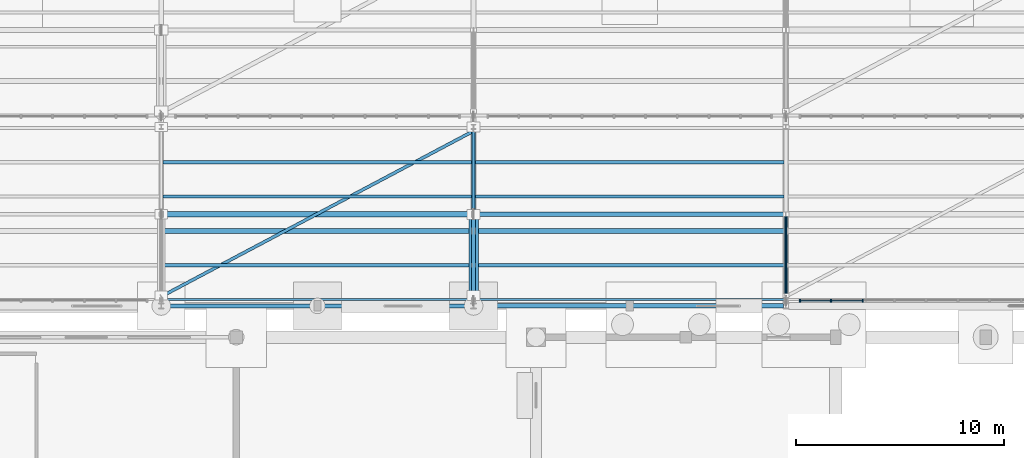
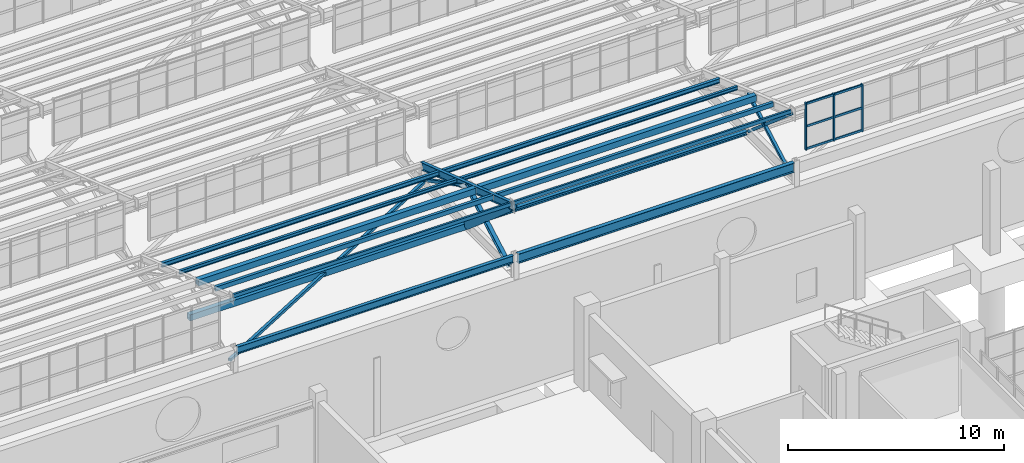
# One storey, part 46 of 285: 17 members, 13 beams, 1 element without a shape of its own.
"""IFC4 building model written with IfcOpenShell, lengths in metres."""

from ifc_helpers import new_model, si_unit, direction, frame, origin, origin_2d, place, context, subcontext, project, spatial, rectangle, hollow_rectangle, hollow_circle, i_section, extrude, material, material_profile, profile_set, type_object, element, aggregate, save


model = new_model("IFC4")

# Units and contexts
model_context = context("Model", 3, precision=1e-05, world=origin(), true_north=direction((0.0, 1.0)))
body_context = subcontext(model_context, "Body", "Model", "MODEL_VIEW")
ifc_project = project(units=[si_unit("LENGTHUNIT", "METRE"), si_unit("AREAUNIT", "SQUARE_METRE"), si_unit("VOLUMEUNIT", "CUBIC_METRE"), si_unit("PLANEANGLEUNIT", "RADIAN"), si_unit("MASSUNIT", "GRAM", prefix="KILO")], contexts=[model_context])

# Site, building, storey
site_placement = place(None, origin())
site = spatial("IfcSite", under=ifc_project, at=site_placement, CompositionType="ELEMENT")
building_placement = place(site_placement, origin())
building = spatial("IfcBuilding", under=site, at=building_placement, Name="Solanera Park Tramway Depot", CompositionType="ELEMENT")
storey_placement = place(building_placement, origin())
storey = spatial("IfcBuildingStorey", under=building, at=storey_placement, Name="L00", CompositionType="ELEMENT", Elevation=0.0)

# Curtain wall, members
ifc_material_1 = material(Name="Bronze-anodised thermally broken aluminium curtain wall", Category="aluminium")
curtain_wall_type = type_object("IfcCurtainWallType", Name="Sawtooth Clerestory Monitor Curtain Wall", PredefinedType="NOTDEFINED", material=ifc_material_1)
curtain_wall_placement = place(storey_placement, origin())
curtain_wall = element("IfcCurtainWall", 1, at=curtain_wall_placement, inside=storey, type_object=curtain_wall_type, Name="L00 Sawtooth Clerestory Monitor Curtain Wall #003", PredefinedType="NOTDEFINED")
ifc_material_2 = material(Name="Bronze-anodised structural aluminium 6063-T6", Category="aluminium")
ifc_material_profile_1 = material_profile(ifc_material_2, rectangle(XDim=0.06494140625, YDim=0.14990234375, at=origin_2d()), Name="Curtain Wall Mullion 65x150")
ifc_profile_set_1 = profile_set([ifc_material_profile_1], Name="Bronze-anodised structural aluminium 6063-T6")
member_type_1 = type_object("IfcMemberType", Name="Curtain Wall Mullion 65x150", PredefinedType="MULLION", material=ifc_profile_set_1)
member_1_placement = place(storey_placement, frame((120.6826171875, 55.75, 7.75), z_axis=(0.0, 0.0, 1.0), x_axis=(1.0, 0.0, 0.0)))
member_1 = element("IfcMember", 2, at=member_1_placement, type_object=member_type_1, Name="CW-L00-003 Mullion 1", PredefinedType="MULLION", context=body_context, shape_type="SweptSolid", body=[
    extrude(rectangle(XDim=0.06494140625, YDim=0.14990234375, at=origin_2d()), origin(), (0.0, 0.0, 1.0), 2.6611328125),
])
member_2_placement = place(storey_placement, frame((122.172119140625, 55.75, 7.75), z_axis=(0.0, 0.0, 1.0), x_axis=(1.0, 0.0, 0.0)))
member_2 = element("IfcMember", 3, at=member_2_placement, type_object=member_type_1, Name="CW-L00-003 Mullion 2", PredefinedType="MULLION", context=body_context, shape_type="SweptSolid", body=[
    extrude(rectangle(XDim=0.06494140625, YDim=0.14990234375, at=origin_2d()), origin(), (0.0, 0.0, 1.0), 2.6611328125),
])
member_3_placement = place(storey_placement, frame((123.6943359375, 55.75, 7.75), z_axis=(0.0, 0.0, 1.0), x_axis=(1.0, 0.0, 0.0)))
member_3 = element("IfcMember", 4, at=member_3_placement, type_object=member_type_1, Name="CW-L00-003 Mullion 3", PredefinedType="MULLION", context=body_context, shape_type="SweptSolid", body=[
    extrude(rectangle(XDim=0.06494140625, YDim=0.14990234375, at=origin_2d()), origin(), (0.0, 0.0, 1.0), 2.6611328125),
])
ifc_material_3 = material(Name="Bronze-anodised structural aluminium 6063-T6", Category="aluminium")
ifc_material_profile_2 = material_profile(ifc_material_3, rectangle(XDim=0.06494140625, YDim=0.1201171875, at=origin_2d()), Name="Curtain Wall Transom 65x120")
ifc_profile_set_2 = profile_set([ifc_material_profile_2], Name="Bronze-anodised structural aluminium 6063-T6")
member_type_2 = type_object("IfcMemberType", Name="Curtain Wall Transom 65x120", PredefinedType="USERDEFINED", material=ifc_profile_set_2)
member_4_placement = place(storey_placement, frame((120.71044921875, 55.75, 7.81005859375), z_axis=(1.0, 0.0, 0.0), x_axis=(0.0, 1.0, 0.0)))
member_4 = element("IfcMember", 5, at=member_4_placement, type_object=member_type_2, Name="CW-L00-003 Transom R1.C1", ObjectType="TRANSOM", PredefinedType="USERDEFINED", context=body_context, shape_type="SweptSolid", body=[
    extrude(rectangle(XDim=0.06494140625, YDim=0.1201171875, at=origin_2d()), origin(), (0.0, 0.0, 1.0), 1.433837890625),
])
member_5_placement = place(storey_placement, frame((122.2001953125, 55.75, 7.81005859375), z_axis=(1.0, 0.0, 0.0), x_axis=(0.0, 1.0, 0.0)))
member_5 = element("IfcMember", 6, at=member_5_placement, type_object=member_type_2, Name="CW-L00-003 Transom R1.C2", ObjectType="TRANSOM", PredefinedType="USERDEFINED", context=body_context, shape_type="SweptSolid", body=[
    extrude(rectangle(XDim=0.06494140625, YDim=0.1201171875, at=origin_2d()), origin(), (0.0, 0.0, 1.0), 1.46630859375),
])
member_6_placement = place(storey_placement, frame((120.71044921875, 55.75, 9.08056640625), z_axis=(1.0, 0.0, 0.0), x_axis=(0.0, 1.0, 0.0)))
member_6 = element("IfcMember", 7, at=member_6_placement, type_object=member_type_2, Name="CW-L00-003 Transom R2.C1", ObjectType="TRANSOM", PredefinedType="USERDEFINED", context=body_context, shape_type="SweptSolid", body=[
    extrude(rectangle(XDim=0.06494140625, YDim=0.1201171875, at=origin_2d()), origin(), (0.0, 0.0, 1.0), 1.433837890625),
])
member_7_placement = place(storey_placement, frame((122.2001953125, 55.75, 9.08056640625), z_axis=(1.0, 0.0, 0.0), x_axis=(0.0, 1.0, 0.0)))
member_7 = element("IfcMember", 8, at=member_7_placement, type_object=member_type_2, Name="CW-L00-003 Transom R2.C2", ObjectType="TRANSOM", PredefinedType="USERDEFINED", context=body_context, shape_type="SweptSolid", body=[
    extrude(rectangle(XDim=0.06494140625, YDim=0.1201171875, at=origin_2d()), origin(), (0.0, 0.0, 1.0), 1.46630859375),
])
member_8_placement = place(storey_placement, frame((120.71044921875, 55.75, 10.351318359375), z_axis=(1.0, 0.0, 0.0), x_axis=(0.0, 1.0, 0.0)))
member_8 = element("IfcMember", 9, at=member_8_placement, type_object=member_type_2, Name="CW-L00-003 Transom R3.C1", ObjectType="TRANSOM", PredefinedType="USERDEFINED", context=body_context, shape_type="SweptSolid", body=[
    extrude(rectangle(XDim=0.06494140625, YDim=0.1201171875, at=origin_2d()), origin(), (0.0, 0.0, 1.0), 1.433837890625),
])
member_9_placement = place(storey_placement, frame((122.2001953125, 55.75, 10.351318359375), z_axis=(1.0, 0.0, 0.0), x_axis=(0.0, 1.0, 0.0)))
member_9 = element("IfcMember", 10, at=member_9_placement, type_object=member_type_2, Name="CW-L00-003 Transom R3.C2", ObjectType="TRANSOM", PredefinedType="USERDEFINED", context=body_context, shape_type="SweptSolid", body=[
    extrude(rectangle(XDim=0.06494140625, YDim=0.1201171875, at=origin_2d()), origin(), (0.0, 0.0, 1.0), 1.46630859375),
])
aggregate(curtain_wall, [member_1, member_2, member_3, member_4, member_5, member_6, member_7, member_8, member_9])

# Beams
ifc_material_4 = material(Name="Steel AS/NZS 3679.1 Grade 350", Category="steel")
ifc_material_profile_3 = material_profile(ifc_material_4, i_section(OverallWidth=0.177734375, OverallDepth=0.406494140625, WebThickness=0.0078125, FlangeThickness=0.0126953125, at=origin_2d()), Name="410UB59.7")
ifc_profile_set_3 = profile_set([ifc_material_profile_3], Name="Steel AS/NZS 3679.1 Grade 350")
beam_type_1 = type_object("IfcBeamType", Name="Perimeter Spandrel Beam 410UB59.7", PredefinedType="SPANDREL", material=ifc_profile_set_3)
beam_1_placement = place(storey_placement, frame((90.1201171875, 55.5, 7.296875), z_axis=(1.0, 0.0, 0.0), x_axis=(0.0, 1.0, 0.0)))
element("IfcBeam", 11, at=beam_1_placement, inside=storey, type_object=beam_type_1, Name="L00 Hall Eave Spandrel 410UB59.7 #0288", PredefinedType="SPANDREL", context=body_context, shape_type="SweptSolid", body=[
    extrude(i_section(OverallWidth=0.177734375, OverallDepth=0.406494140625, WebThickness=0.0078125, FlangeThickness=0.0126953125, at=origin_2d()), origin(), (0.0, 0.0, 1.0), 14.759765625),
])
ifc_material_5 = material(Name="Steel AS/NZS 3679.1 Grade 350", Category="steel")
ifc_material_profile_4 = material_profile(ifc_material_5, i_section(OverallWidth=0.209228515625, OverallDepth=0.532958984375, WebThickness=0.01025390625, FlangeThickness=0.015625, at=origin_2d()), Name="530UB92.4")
ifc_profile_set_4 = profile_set([ifc_material_profile_4], Name="Steel AS/NZS 3679.1 Grade 350")
beam_type_2 = type_object("IfcBeamType", Name="Perimeter Spandrel Beam 530UB92.4", PredefinedType="SPANDREL", material=ifc_profile_set_4)
beam_2_placement = place(storey_placement, frame((105.1201171875, 55.5, 7.2333984375), z_axis=(1.0, 0.0, 0.0), x_axis=(0.0, 1.0, 0.0)))
element("IfcBeam", 12, at=beam_2_placement, inside=storey, type_object=beam_type_2, Name="L00 Hall Eave Spandrel 530UB92.4 #0290", PredefinedType="SPANDREL", context=body_context, shape_type="SweptSolid", body=[
    extrude(i_section(OverallWidth=0.209228515625, OverallDepth=0.532958984375, WebThickness=0.01025390625, FlangeThickness=0.015625, at=origin_2d()), origin(), (0.0, 0.0, 1.0), 14.759765625),
])

# Members
ifc_material_6 = material(Name="Steel AS/NZS 1163 Grade C350L0", Category="steel")
ifc_material_profile_5 = material_profile(ifc_material_6, hollow_rectangle(XDim=0.14990234375, YDim=0.14990234375, WallThickness=0.006103515625, at=origin_2d()), Name="150x150x6.0 SHS")
ifc_profile_set_5 = profile_set([ifc_material_profile_5], Name="Steel AS/NZS 1163 Grade C350L0")
member_type_3 = type_object("IfcMemberType", Name="Roof Gantry Compression Strut 150x150x6.0 SHS", PredefinedType="STRUT", material=ifc_profile_set_5)
member_10_placement = place(storey_placement, frame((120.0, 56.0, 6.5), z_axis=(0.0, 0.874074669389, 0.485791593517), x_axis=(-1.0, 0.0, 0.0)))
element("IfcMember", 13, at=member_10_placement, inside=storey, type_object=member_type_3, Name="Sawtooth ROOF TRUSS Strut 150x150x6.0 SHS #0030", PredefinedType="STRUT", context=body_context, shape_type="SweptSolid", body=[
    extrude(hollow_rectangle(XDim=0.14990234375, YDim=0.14990234375, WallThickness=0.006103515625, at=origin_2d()), origin(), (0.0, 0.0, 1.0), 4.461669921875),
])
ifc_material_7 = material(Name="Steel AS/NZS 3679.1 Grade 350", Category="steel")
ifc_material_profile_6 = material_profile(ifc_material_7, i_section(OverallWidth=0.205078125, OverallDepth=0.209716796875, WebThickness=0.00927734375, FlangeThickness=0.01416015625, at=origin_2d()), Name="200UC59.5")
ifc_profile_set_6 = profile_set([ifc_material_profile_6], Name="Steel AS/NZS 3679.1 Grade 350")
member_type_4 = type_object("IfcMemberType", Name="Roof Gantry Compression Strut 200UC59.5", PredefinedType="STRUT", material=ifc_profile_set_6)
member_11_placement = place(storey_placement, frame((105.0, 56.0, 6.5), z_axis=(0.0, 0.871630906744, 0.490162791742), x_axis=(-1.0, 0.0, 0.0)))
element("IfcMember", 14, at=member_11_placement, inside=storey, type_object=member_type_4, Name="Sawtooth ROOF TRUSS Strut 200UC59.5 #0027", PredefinedType="STRUT", context=body_context, shape_type="SweptSolid", body=[
    extrude(i_section(OverallWidth=0.205078125, OverallDepth=0.209716796875, WebThickness=0.00927734375, FlangeThickness=0.01416015625, at=origin_2d()), origin(), (0.0, 0.0, 1.0), 4.474365234375),
])
ifc_material_8 = material(Name="Steel AS/NZS 3679.1 Grade 350", Category="steel")
ifc_material_profile_7 = material_profile(ifc_material_8, i_section(OverallWidth=0.203369140625, OverallDepth=0.203369140625, WebThickness=0.00732421875, FlangeThickness=0.010986328125, at=origin_2d()), Name="200UC46.2")
ifc_profile_set_7 = profile_set([ifc_material_profile_7], Name="Steel AS/NZS 3679.1 Grade 350")
member_type_5 = type_object("IfcMemberType", Name="Secondary Truss Chord 200UC46.2", PredefinedType="CHORD", material=ifc_profile_set_7)
member_12_placement = place(storey_placement, frame((105.087890625, 59.89990234375, 6.5), z_axis=(1.0, 0.0, 0.0), x_axis=(0.0, 1.0, 0.0)))
element("IfcMember", 15, at=member_12_placement, inside=storey, type_object=member_type_5, Name="Sawtooth Longitudinal Tie Chord 200UC46.2 #0043", PredefinedType="CHORD", context=body_context, shape_type="SweptSolid", body=[
    extrude(i_section(OverallWidth=0.203369140625, OverallDepth=0.203369140625, WebThickness=0.00732421875, FlangeThickness=0.010986328125, at=origin_2d()), origin(), (0.0, 0.0, 1.0), 14.82421875),
])
ifc_material_9 = material(Name="Steel AS/NZS 1163 Grade C350L0", Category="steel")
ifc_material_profile_8 = material_profile(ifc_material_9, hollow_rectangle(XDim=0.25, YDim=0.35009765625, WallThickness=0.010009765625, at=origin_2d()), Name="350x250x10.0 RHS")
ifc_profile_set_8 = profile_set([ifc_material_profile_8], Name="Steel AS/NZS 1163 Grade C350L0")
member_type_6 = type_object("IfcMemberType", Name="Secondary Truss Chord 350x250x10.0 RHS", PredefinedType="CHORD", material=ifc_profile_set_8)
member_13_placement = place(storey_placement, frame((90.087890625, 59.89990234375, 6.5), z_axis=(1.0, 0.0, 0.0), x_axis=(0.0, 1.0, 0.0)))
element("IfcMember", 16, at=member_13_placement, inside=storey, type_object=member_type_6, Name="Sawtooth Longitudinal Tie Chord 350x250x10.0 RHS #0041", PredefinedType="CHORD", context=body_context, shape_type="SweptSolid", body=[
    extrude(hollow_rectangle(XDim=0.25, YDim=0.35009765625, WallThickness=0.010009765625, at=origin_2d()), origin(), (0.0, 0.0, 1.0), 14.82421875),
])

# Beams
ifc_material_10 = material(Name="Steel AS/NZS 3679.1 Grade 350", Category="steel")
ifc_material_profile_9 = material_profile(ifc_material_10, i_section(OverallWidth=0.177734375, OverallDepth=0.406494140625, WebThickness=0.0078125, FlangeThickness=0.0126953125, at=origin_2d()), Name="410UB59.7")
ifc_profile_set_9 = profile_set([ifc_material_profile_9], Name="Steel AS/NZS 3679.1 Grade 350")
beam_type_3 = type_object("IfcBeamType", Name="Steel Beam 410UB59.7", PredefinedType="BEAM", material=ifc_profile_set_9)
beam_3_placement = place(storey_placement, frame((105.0, 55.75, 10.08154296875), z_axis=(0.0, 0.948322229475, -0.317308917435), x_axis=(-1.0, 0.0, 0.0)))
element("IfcBeam", 17, at=beam_3_placement, inside=storey, type_object=beam_type_3, Name="Sawtooth ROOF TRUSS Top Rafter 410UB59.7 B01-T7", PredefinedType="BEAM", context=body_context, shape_type="SweptSolid", body=[
    extrude(i_section(OverallWidth=0.177734375, OverallDepth=0.406494140625, WebThickness=0.0078125, FlangeThickness=0.0126953125, at=origin_2d()), origin(), (0.0, 0.0, 1.0), 8.80517578125),
])
ifc_material_11 = material(Name="Steel AS/NZS 3679.1 Grade 350", Category="steel")
ifc_material_profile_10 = material_profile(ifc_material_11, i_section(OverallWidth=0.13330078125, OverallDepth=0.203125, WebThickness=0.005859375, FlangeThickness=0.0078125, at=origin_2d()), Name="200UB25.4")
ifc_profile_set_10 = profile_set([ifc_material_profile_10], Name="Steel AS/NZS 3679.1 Grade 350")
beam_type_4 = type_object("IfcBeamType", Name="Steel Joist Purlin 200UB25.4", PredefinedType="JOIST", material=ifc_profile_set_10)
beam_4_placement = place(storey_placement, frame((90.077880859375, 60.75, 8.510009765625), z_axis=(1.0, 0.0, 0.0), x_axis=(0.0, 1.0, 0.0)))
element("IfcBeam", 18, at=beam_4_placement, inside=storey, type_object=beam_type_4, Name="Sawtooth Roof Purlin 200UB25.4 B01.4", PredefinedType="JOIST", context=body_context, shape_type="SweptSolid", body=[
    extrude(i_section(OverallWidth=0.13330078125, OverallDepth=0.203125, WebThickness=0.005859375, FlangeThickness=0.0078125, at=origin_2d()), origin(), (0.0, 0.0, 1.0), 14.84130859375),
])
beam_5_placement = place(storey_placement, frame((105.080810546875, 60.75, 8.510009765625), z_axis=(1.0, 0.0, 0.0), x_axis=(0.0, 1.0, 0.0)))
element("IfcBeam", 19, at=beam_5_placement, inside=storey, type_object=beam_type_4, Name="Sawtooth Roof Purlin 200UB25.4 B01.4", PredefinedType="JOIST", context=body_context, shape_type="SweptSolid", body=[
    extrude(i_section(OverallWidth=0.13330078125, OverallDepth=0.203125, WebThickness=0.005859375, FlangeThickness=0.0078125, at=origin_2d()), origin(), (0.0, 0.0, 1.0), 14.83203125),
])
ifc_material_12 = material(Name="Steel AS/NZS 1163 Grade C350L0", Category="steel")
ifc_material_profile_11 = material_profile(ifc_material_12, hollow_rectangle(XDim=0.10009765625, YDim=0.199951171875, WallThickness=0.006103515625, at=origin_2d()), Name="200x100x6.0 RHS")
ifc_profile_set_11 = profile_set([ifc_material_profile_11], Name="Steel AS/NZS 1163 Grade C350L0")
beam_type_5 = type_object("IfcBeamType", Name="Steel Joist Purlin 200x100x6.0 RHS", PredefinedType="JOIST", material=ifc_profile_set_11)
beam_6_placement = place(storey_placement, frame((90.077880859375, 55.800048828125, 10.17333984375), z_axis=(1.0, 0.0, 0.0), x_axis=(0.0, 1.0, 0.0)))
element("IfcBeam", 20, at=beam_6_placement, inside=storey, type_object=beam_type_5, Name="Sawtooth Roof Purlin 200x100x6.0 RHS B01.1", PredefinedType="JOIST", context=body_context, shape_type="SweptSolid", body=[
    extrude(hollow_rectangle(XDim=0.10009765625, YDim=0.199951171875, WallThickness=0.006103515625, at=origin_2d()), origin(), (0.0, 0.0, 1.0), 14.84130859375),
])
beam_7_placement = place(storey_placement, frame((105.080810546875, 55.800048828125, 10.17333984375), z_axis=(1.0, 0.0, 0.0), x_axis=(0.0, 1.0, 0.0)))
element("IfcBeam", 21, at=beam_7_placement, inside=storey, type_object=beam_type_5, Name="Sawtooth Roof Purlin 200x100x6.0 RHS B01.1", PredefinedType="JOIST", context=body_context, shape_type="SweptSolid", body=[
    extrude(hollow_rectangle(XDim=0.10009765625, YDim=0.199951171875, WallThickness=0.006103515625, at=origin_2d()), origin(), (0.0, 0.0, 1.0), 14.83203125),
])
ifc_material_13 = material(Name="Steel AS/NZS 3679.1 Grade 350", Category="steel")
ifc_material_profile_12 = material_profile(ifc_material_13, i_section(OverallWidth=0.14599609375, OverallDepth=0.251708984375, WebThickness=0.006103515625, FlangeThickness=0.008544921875, at=origin_2d()), Name="250UB31.4")
ifc_profile_set_12 = profile_set([ifc_material_profile_12], Name="Steel AS/NZS 3679.1 Grade 350")
beam_type_6 = type_object("IfcBeamType", Name="Steel Joist Purlin 250UB31.4", PredefinedType="JOIST", material=ifc_profile_set_12)
beam_8_placement = place(storey_placement, frame((90.077880859375, 62.39990234375, 7.931396484375), z_axis=(1.0, 0.0, 0.0), x_axis=(0.0, 1.0, 0.0)))
element("IfcBeam", 22, at=beam_8_placement, inside=storey, type_object=beam_type_6, Name="Sawtooth Roof Purlin 250UB31.4 B01.5", PredefinedType="JOIST", context=body_context, shape_type="SweptSolid", body=[
    extrude(i_section(OverallWidth=0.14599609375, OverallDepth=0.251708984375, WebThickness=0.006103515625, FlangeThickness=0.008544921875, at=origin_2d()), origin(), (0.0, 0.0, 1.0), 14.84130859375),
])
beam_9_placement = place(storey_placement, frame((105.080810546875, 62.39990234375, 7.931396484375), z_axis=(1.0, 0.0, 0.0), x_axis=(0.0, 1.0, 0.0)))
element("IfcBeam", 23, at=beam_9_placement, inside=storey, type_object=beam_type_6, Name="Sawtooth Roof Purlin 250UB31.4 B01.5", PredefinedType="JOIST", context=body_context, shape_type="SweptSolid", body=[
    extrude(i_section(OverallWidth=0.14599609375, OverallDepth=0.251708984375, WebThickness=0.006103515625, FlangeThickness=0.008544921875, at=origin_2d()), origin(), (0.0, 0.0, 1.0), 14.83203125),
])
ifc_material_14 = material(Name="Steel AS/NZS 1163 Grade C350L0", Category="steel")
ifc_material_profile_13 = material_profile(ifc_material_14, hollow_rectangle(XDim=0.14990234375, YDim=0.25, WallThickness=0.008056640625, at=origin_2d()), Name="250x150x8.0 RHS")
ifc_profile_set_13 = profile_set([ifc_material_profile_13], Name="Steel AS/NZS 1163 Grade C350L0")
beam_type_7 = type_object("IfcBeamType", Name="Steel Joist Purlin 250x150x8.0 RHS", PredefinedType="JOIST", material=ifc_profile_set_13)
beam_10_placement = place(storey_placement, frame((90.077880859375, 57.449951171875, 9.587890625), z_axis=(1.0, 0.0, 0.0), x_axis=(0.0, 1.0, 0.0)))
element("IfcBeam", 24, at=beam_10_placement, inside=storey, type_object=beam_type_7, Name="Sawtooth Roof Purlin 250x150x8.0 RHS B01.2", PredefinedType="JOIST", context=body_context, shape_type="SweptSolid", body=[
    extrude(hollow_rectangle(XDim=0.14990234375, YDim=0.25, WallThickness=0.008056640625, at=origin_2d()), origin(), (0.0, 0.0, 1.0), 14.84130859375),
])
beam_11_placement = place(storey_placement, frame((105.080810546875, 57.449951171875, 9.587890625), z_axis=(1.0, 0.0, 0.0), x_axis=(0.0, 1.0, 0.0)))
element("IfcBeam", 25, at=beam_11_placement, inside=storey, type_object=beam_type_7, Name="Sawtooth Roof Purlin 250x150x8.0 RHS B01.2", PredefinedType="JOIST", context=body_context, shape_type="SweptSolid", body=[
    extrude(hollow_rectangle(XDim=0.14990234375, YDim=0.25, WallThickness=0.008056640625, at=origin_2d()), origin(), (0.0, 0.0, 1.0), 14.83203125),
])
ifc_material_15 = material(Name="Steel AS/NZS 1163 Grade C350L0", Category="steel")
ifc_material_profile_14 = material_profile(ifc_material_15, hollow_rectangle(XDim=0.25, YDim=0.35009765625, WallThickness=0.010009765625, at=origin_2d()), Name="350x250x10.0 RHS")
ifc_profile_set_14 = profile_set([ifc_material_profile_14], Name="Steel AS/NZS 1163 Grade C350L0")
beam_type_8 = type_object("IfcBeamType", Name="Steel Joist Purlin 350x250x10.0 RHS", PredefinedType="JOIST", material=ifc_profile_set_14)
beam_12_placement = place(storey_placement, frame((90.077880859375, 59.10009765625, 8.968994140625), z_axis=(1.0, 0.0, 0.0), x_axis=(0.0, 1.0, 0.0)))
element("IfcBeam", 26, at=beam_12_placement, inside=storey, type_object=beam_type_8, Name="Sawtooth Roof Purlin 350x250x10.0 RHS B01.3", PredefinedType="JOIST", context=body_context, shape_type="SweptSolid", body=[
    extrude(hollow_rectangle(XDim=0.25, YDim=0.35009765625, WallThickness=0.010009765625, at=origin_2d()), origin(), (0.0, 0.0, 1.0), 14.84130859375),
])
beam_13_placement = place(storey_placement, frame((105.080810546875, 59.10009765625, 8.968994140625), z_axis=(1.0, 0.0, 0.0), x_axis=(0.0, 1.0, 0.0)))
element("IfcBeam", 27, at=beam_13_placement, inside=storey, type_object=beam_type_8, Name="Sawtooth Roof Purlin 350x250x10.0 RHS B01.3", PredefinedType="JOIST", context=body_context, shape_type="SweptSolid", body=[
    extrude(hollow_rectangle(XDim=0.25, YDim=0.35009765625, WallThickness=0.010009765625, at=origin_2d()), origin(), (0.0, 0.0, 1.0), 14.83203125),
])

# Members
ifc_material_16 = material(Name="Steel AS/NZS 1163 Grade C350L0", Category="steel")
ifc_material_profile_15 = material_profile(ifc_material_16, hollow_rectangle(XDim=0.14990234375, YDim=0.14990234375, WallThickness=0.006103515625, at=origin_2d()), Name="150x150x6.0 SHS")
ifc_profile_set_15 = profile_set([ifc_material_profile_15], Name="Steel AS/NZS 1163 Grade C350L0")
member_type_7 = type_object("IfcMemberType", Name="Truss and Frame Brace 150x150x6.0 SHS", PredefinedType="BRACE", material=ifc_profile_set_15)
member_14_placement = place(storey_placement, frame((105.0, 64.10009765625, 6.5), z_axis=(0.0, -0.886436886442, 0.462849485638), x_axis=(1.0, 0.0, 0.0)))
element("IfcMember", 28, at=member_14_placement, inside=storey, type_object=member_type_7, Name="Sawtooth ROOF TRUSS Diagonal 150x150x6.0 SHS #0026", PredefinedType="BRACE", context=body_context, shape_type="SweptSolid", body=[
    extrude(hollow_rectangle(XDim=0.14990234375, YDim=0.14990234375, WallThickness=0.006103515625, at=origin_2d()), origin(), (0.0, 0.0, 1.0), 4.73828125),
])
member_15_placement = place(storey_placement, frame((90.001953125, 55.949951171875, 6.5), z_axis=(0.883523615038, 0.468386615598, 0.0), x_axis=(-0.468386615598, 0.883523615038, 0.0)))
element("IfcMember", 29, at=member_15_placement, inside=storey, type_object=member_type_7, Name="Roof Plane Cyclonic Brace 150x150x6.0 SHS #0042", PredefinedType="BRACE", context=body_context, shape_type="SweptSolid", body=[
    extrude(hollow_rectangle(XDim=0.14990234375, YDim=0.14990234375, WallThickness=0.006103515625, at=origin_2d()), origin(), (0.0, 0.0, 1.0), 16.97314453125),
])
ifc_material_17 = material(Name="Steel AS/NZS 1163 Grade C350L0", Category="steel")
ifc_material_profile_16 = material_profile(ifc_material_17, hollow_rectangle(XDim=0.050048828125, YDim=0.14990234375, WallThickness=0.0048828125, at=origin_2d()), Name="150x50x5.0 RHS")
ifc_profile_set_16 = profile_set([ifc_material_profile_16], Name="Steel AS/NZS 1163 Grade C350L0")
member_type_8 = type_object("IfcMemberType", Name="Truss and Frame Brace 150x50x5.0 RHS", PredefinedType="BRACE", material=ifc_profile_set_16)
member_16_placement = place(storey_placement, frame((120.0, 59.89990234375, 6.5), z_axis=(0.0, -0.759338583023, 0.650695717162), x_axis=(1.0, 0.0, 0.0)))
element("IfcMember", 30, at=member_16_placement, inside=storey, type_object=member_type_8, Name="Sawtooth ROOF TRUSS Web Brace 150x50x5.0 RHS #0028", PredefinedType="BRACE", context=body_context, shape_type="SweptSolid", body=[
    extrude(hollow_rectangle(XDim=0.050048828125, YDim=0.14990234375, WallThickness=0.0048828125, at=origin_2d()), origin(), (0.0, 0.0, 1.0), 5.465087890625),
])
ifc_material_18 = material(Name="Steel AS/NZS 1163 Grade C350L0", Category="steel")
ifc_material_profile_17 = material_profile(ifc_material_18, hollow_circle(Radius=0.228515625, WallThickness=0.0126953125, at=origin_2d()), Name="457.0x12.7 CHS")
ifc_profile_set_17 = profile_set([ifc_material_profile_17], Name="Steel AS/NZS 1163 Grade C350L0")
member_type_9 = type_object("IfcMemberType", Name="Truss and Frame Brace 457.0x12.7 CHS", PredefinedType="BRACE", material=ifc_profile_set_17)
member_17_placement = place(storey_placement, frame((105.0, 59.89990234375, 6.5), z_axis=(0.0, -0.757045281618, 0.653362412127), x_axis=(1.0, 0.0, 0.0)))
element("IfcMember", 31, at=member_17_placement, inside=storey, type_object=member_type_9, Name="Sawtooth ROOF TRUSS Web Brace 457.0x12.7 CHS #0025", PredefinedType="BRACE", context=body_context, shape_type="SweptSolid", body=[
    extrude(hollow_circle(Radius=0.228515625, WallThickness=0.0126953125, at=origin_2d()), origin(), (0.0, 0.0, 1.0), 5.481689453125),
])

save(model, "model.ifc")
